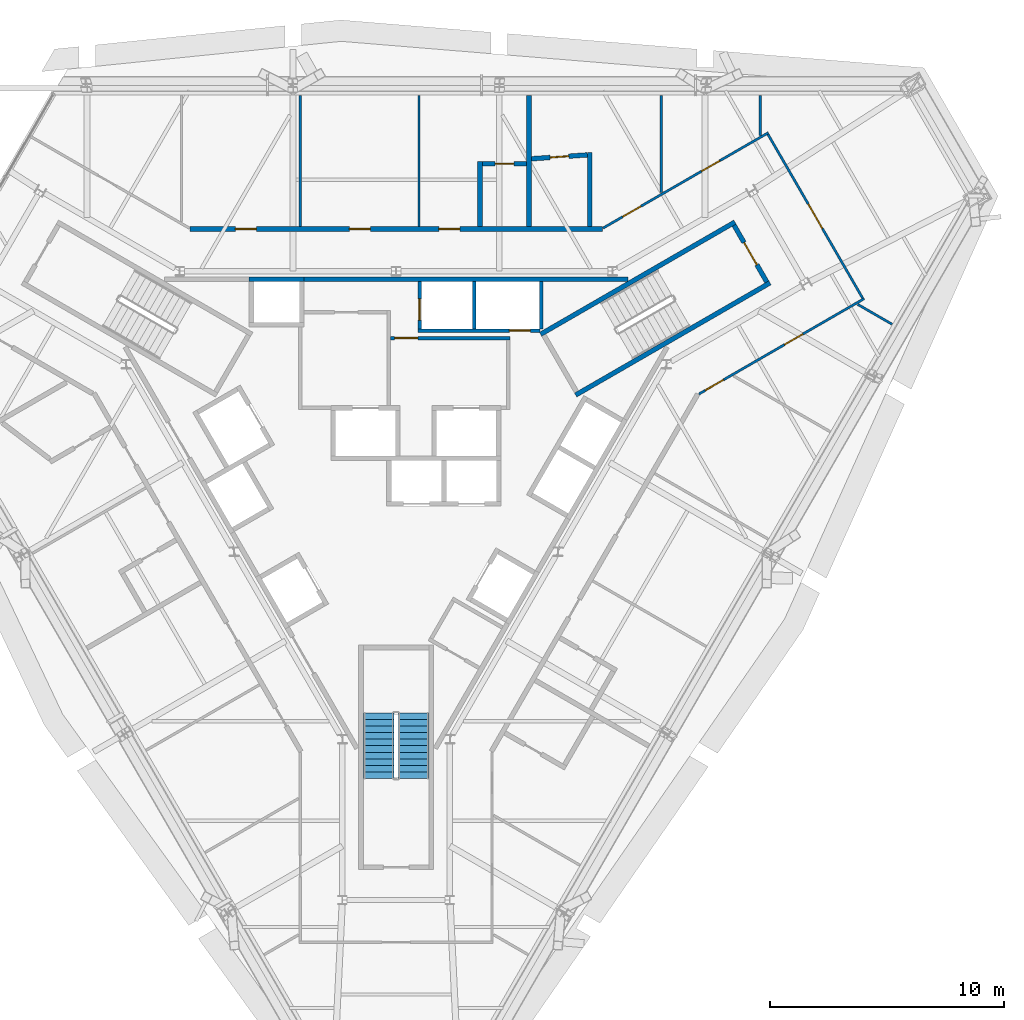
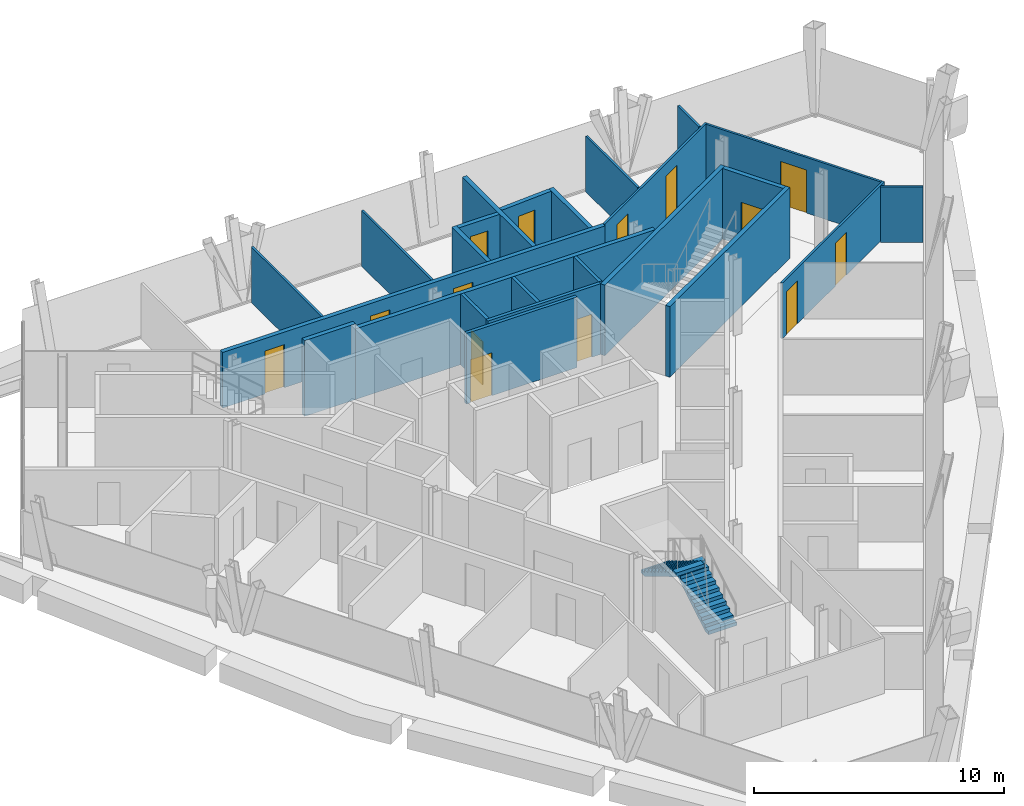
# One storey, part 9 of 11: 24 walls, 14 doors, 2 stair flights, 14 openings, 1 element without a shape of its own.
"""IFC4 building model written with IfcOpenShell, lengths in metres."""

from ifc_helpers import new_model, si_unit, direction, frame, frame_2d, origin, place, context, subcontext, project, spatial, polyline, rectangle, outline, extrude, material, layer, layer_set, type_object, element, fill, aggregate, save


model = new_model("IFC4")

# Units and contexts
model_context = context("Model", 3, precision=1e-05, world=origin(), true_north=direction((0.0, 1.0)))
body_context = subcontext(model_context, "Body", "Model", "MODEL_VIEW")
ifc_project = project(units=[si_unit("LENGTHUNIT", "METRE"), si_unit("AREAUNIT", "SQUARE_METRE"), si_unit("VOLUMEUNIT", "CUBIC_METRE"), si_unit("PLANEANGLEUNIT", "RADIAN"), si_unit("MASSUNIT", "GRAM", prefix="KILO")], contexts=[model_context])

# Site, building, storey
site_placement = place(None, origin())
site = spatial("IfcSite", under=ifc_project, at=site_placement, CompositionType="ELEMENT")
building_placement = place(site_placement, origin())
building = spatial("IfcBuilding", under=site, at=building_placement, Name="Verrane Prism Tower", CompositionType="ELEMENT")
storey_placement = place(building_placement, frame((0.0, 0.0, 232.300048828125)))
storey = spatial("IfcBuildingStorey", under=building, at=storey_placement, Name="L58", CompositionType="ELEMENT", Elevation=232.300048828125)

# Wall
ifc_material_1 = material(Name="Gypsum board partition", Category="other")
ifc_layer_1 = layer(ifc_material_1, 0.199951171875)
ifc_layer_set_1 = layer_set([ifc_layer_1], Name="CW-200 core boundary wall 2 h")
wall_type_1 = type_object("IfcWallType", Name="CW-200 core boundary wall 2 h", PredefinedType="PARTITIONING", material=ifc_layer_set_1)
wall_1_placement = place(storey_placement, frame((-3.93310546875, 7.659912109375, 0.0), z_axis=(0.0, 0.0, 1.0), x_axis=(1.0, 0.0, 0.0)))
element("IfcWall", 1, at=wall_1_placement, inside=storey, type_object=wall_type_1, Name="Core boundary wall CW3-005", PredefinedType="PARTITIONING", context=body_context, shape_type="SweptSolid", body=[
    extrude(rectangle(XDim=13.841064453125, YDim=0.199951171875, at=frame_2d((6.92041015625, 0.0))), origin(), (0.0, 0.0, 1.0), 3.449951171875),
])

# Wall, opening, door
ifc_material_2 = material(Name="Concrete C40/50", Category="concrete")
ifc_layer_2 = layer(ifc_material_2, 0.199951171875)
ifc_layer_set_2 = layer_set([ifc_layer_2], Name="CW-200 stair core wall concrete C40/50 3 h")
wall_type_2 = type_object("IfcWallType", Name="CW-200 stair core wall concrete C40/50 3 h", PredefinedType="PARTITIONING", material=ifc_layer_set_2)
wall_2_placement = place(storey_placement, frame((15.85546875, 7.53759765625, 0.0), z_axis=(0.0, 0.0, 1.0), x_axis=(-0.500049511043, 0.865996816683, 0.0)))
wall_2 = element("IfcWall", 2, at=wall_2_placement, inside=storey, type_object=wall_type_2, Name="Stair 1 enclosure wall", PredefinedType="PARTITIONING", context=body_context, shape_type="SweptSolid", body=[
    extrude(rectangle(XDim=2.800048828125, YDim=0.199951171875, at=frame_2d((1.39990234375, 0.0))), origin(), (0.0, 0.0, 1.0), 3.449951171875),
])
opening_1_placement = place(wall_2_placement, frame((0.849853515625, 0.0, 0.0)))
opening_1 = element("IfcOpeningElement", 3, at=opening_1_placement, cuts=wall_2, Name="Opening D57500", PredefinedType="OPENING", context=body_context, shape_type="SweptSolid", body=[
    extrude(rectangle(XDim=1.10009765625, YDim=2.10009765625, at=frame_2d((0.550048828125, 1.050048828125))), frame((0.0, 0.10986328125, 0.0), z_axis=(0.0, -1.0, 0.0), x_axis=(1.0, 0.0, 0.0)), (0.0, 0.0, 1.0), 0.219970703125),
])
ifc_material_3 = material(Name="Timber veneered door leaf", Category="wood")
door_type_1 = type_object("IfcDoorType", Name="DR-1100x2100 FD90 single leaf stair", OperationType="NOTDEFINED", PredefinedType="DOOR", material=ifc_material_3)
door_1_placement = place(opening_1_placement, origin())
door_1 = element("IfcDoor", 4, at=door_1_placement, inside=storey, type_object=door_type_1, Name="Stair 1 door", OperationType="SINGLE_SWING_LEFT", OverallHeight=2.10009765625, OverallWidth=1.10009765625, PredefinedType="DOOR", context=body_context, shape_type="SweptSolid", body=[
    extrude(rectangle(XDim=1.10009765625, YDim=2.10009765625, at=frame_2d((0.550048828125, 1.050048828125))), frame((0.0, 0.02490234375, 0.0), z_axis=(0.0, -1.0, 0.0), x_axis=(1.0, 0.0, 0.0)), (0.0, 0.0, 1.0), 0.050048828125),
])
fill(opening_1, door_1)

# Walls
for number, where, z_axis, x_axis, name in (
    (5, (6.17822265625, 5.299072265625, 0.0), (0.0, 0.0, 1.0), (0.866019993635, 0.500009370536, 0.0), "Stair 1 enclosure wall"),
    (6, (7.67822265625, 2.700927734375, 0.0), (0.0, 0.0, 1.0), (0.866019993635, 0.500009370536, 0.0), "Stair 1 enclosure wall"),
):
    element("IfcWall", number, at=place(storey_placement, frame(where, z_axis=z_axis, x_axis=x_axis)), inside=storey, type_object=wall_type_2, Name=name, PredefinedType="PARTITIONING", context=body_context, shape_type="SweptSolid", body=[
        extrude(rectangle(XDim=9.599853515625, YDim=0.199951171875, at=frame_2d((4.7998046875, 0.0))), origin(), (0.0, 0.0, 1.0), 3.449951171875),
    ])
ifc_material_4 = material(Name="Gypsum board shaft wall assembly", Category="other")
ifc_layer_3 = layer(ifc_material_4, 0.199951171875)
ifc_layer_set_3 = layer_set([ifc_layer_3], Name="HW-200 lift shaft wall 2 h")
wall_type_3 = type_object("IfcWallType", Name="HW-200 lift shaft wall 2 h", PredefinedType="PARTITIONING", material=ifc_layer_set_3)
wall_3_placement = place(storey_placement, frame((-6.284912109375, 7.659912109375, 0.0), z_axis=(0.0, 0.0, 1.0), x_axis=(1.0, 0.0, 0.0)))
element("IfcWall", 7, at=wall_3_placement, inside=storey, type_object=wall_type_3, Name="Lift shaft wall", PredefinedType="PARTITIONING", context=body_context, shape_type="SweptSolid", body=[
    extrude(rectangle(XDim=2.349853515625, YDim=0.199951171875, at=frame_2d((1.1748046875, 0.0))), origin(), (0.0, 0.0, 1.0), 3.699951171875),
])

# Wall, opening, door
ifc_material_5 = material(Name="Gypsum board partition", Category="other")
ifc_layer_4 = layer(ifc_material_5, 0.14990234375)
ifc_layer_set_4 = layer_set([ifc_layer_4], Name="LF-150 firefighting lobby wall 1 h")
wall_type_4 = type_object("IfcWallType", Name="LF-150 firefighting lobby wall 1 h", PredefinedType="PARTITIONING", material=ifc_layer_set_4)
wall_4_placement = place(storey_placement, frame((-0.2451171875, 5.139892578125, 0.0), z_axis=(0.0, 0.0, 1.0), x_axis=(1.0, 0.0, 0.0)))
wall_4 = element("IfcWall", 8, at=wall_4_placement, inside=storey, type_object=wall_type_4, Name="Firefighting lobby wall LF1-005", PredefinedType="PARTITIONING", context=body_context, shape_type="SweptSolid", body=[
    extrude(rectangle(XDim=5.110107421875, YDim=0.14990234375, at=frame_2d((2.55517578125, 0.0))), origin(), (0.0, 0.0, 1.0), 3.449951171875),
])
opening_2_placement = place(wall_4_placement, frame((0.175048828125, 0.0, 0.0)))
opening_2 = element("IfcOpeningElement", 9, at=opening_2_placement, cuts=wall_4, Name="Opening D57513", PredefinedType="OPENING", context=body_context, shape_type="SweptSolid", body=[
    extrude(rectangle(XDim=1.0, YDim=2.10009765625, at=frame_2d((0.5, 1.050048828125))), frame((0.0, 0.0849609375, 0.0), z_axis=(0.0, -1.0, 0.0), x_axis=(1.0, 0.0, 0.0)), (0.0, 0.0, 1.0), 0.169921875),
])
ifc_material_6 = material(Name="Timber veneered door leaf", Category="wood")
door_type_2 = type_object("IfcDoorType", Name="DR-1000x2100 FD60 single leaf firefighting lobby", OperationType="NOTDEFINED", PredefinedType="DOOR", material=ifc_material_6)
door_2_placement = place(opening_2_placement, origin())
door_2 = element("IfcDoor", 10, at=door_2_placement, inside=storey, type_object=door_type_2, Name="Firefighting lobby door D57513", OperationType="SINGLE_SWING_LEFT", OverallHeight=2.10009765625, OverallWidth=1.0, PredefinedType="DOOR", context=body_context, shape_type="SweptSolid", body=[
    extrude(rectangle(XDim=1.0, YDim=2.10009765625, at=frame_2d((0.5, 1.050048828125))), frame((0.0, 0.02490234375, 0.0), z_axis=(0.0, -1.0, 0.0), x_axis=(1.0, 0.0, 0.0)), (0.0, 0.0, 1.0), 0.050048828125),
])
fill(opening_2, door_2)

# Walls
ifc_material_7 = material(Name="Gypsum board partition", Category="other")
ifc_layer_5 = layer(ifc_material_7, 0.10009765625)
ifc_layer_set_5 = layer_set([ifc_layer_5], Name="PW-100 room partition")
wall_type_5 = type_object("IfcWallType", Name="PW-100 room partition", PredefinedType="PARTITIONING", material=ifc_layer_set_5)
for number, where, z_axis, x_axis, name in (
    (11, (-4.10302734375, 9.89990234375, 0.0), (0.0, 0.0, 1.0), (0.0, 1.0, 0.0), "Room partition 016"),
    (12, (0.97998046875, 9.89990234375, 0.0), (0.0, 0.0, 1.0), (0.0, 1.0, 0.0), "Room partition 019"),
):
    element("IfcWall", number, at=place(storey_placement, frame(where, z_axis=z_axis, x_axis=x_axis)), inside=storey, type_object=wall_type_5, Name=name, PredefinedType="PARTITIONING", context=body_context, shape_type="SweptSolid", body=[
        extrude(rectangle(XDim=5.606201171875, YDim=0.10009765625, at=frame_2d((2.80322265625, 0.0))), origin(), (0.0, 0.0, 1.0), 2.712890625),
    ])

# Wall, openings, doors
wall_5_placement = place(storey_placement, frame((8.8515625, 9.842529296875, 0.0), z_axis=(0.0, 0.0, 1.0), x_axis=(0.866088973199, 0.499889878377, 0.0)))
wall_5 = element("IfcWall", 13, at=wall_5_placement, inside=storey, type_object=wall_type_5, Name="Room partition 035", PredefinedType="PARTITIONING", context=body_context, shape_type="SweptSolid", body=[
    extrude(rectangle(XDim=8.162841796875, YDim=0.10009765625, at=frame_2d((4.08154296875, 0.0))), origin(), (0.0, 0.0, 1.0), 2.712890625),
])
opening_3_placement = place(wall_5_placement, frame((4.864990234375, 0.0, 0.0)))
opening_3 = element("IfcOpeningElement", 14, at=opening_3_placement, cuts=wall_5, Name="Opening D57002", PredefinedType="OPENING", context=body_context, shape_type="SweptSolid", body=[
    extrude(rectangle(XDim=0.89990234375, YDim=2.10009765625, at=frame_2d((0.449951171875, 1.050048828125))), frame((0.0, 0.06005859375, 0.0), z_axis=(0.0, -1.0, 0.0), x_axis=(1.0, 0.0, 0.0)), (0.0, 0.0, 1.0), 0.1201171875),
])
opening_4_placement = place(wall_5_placement, frame((0.965087890625, 0.0, 0.0)))
opening_4 = element("IfcOpeningElement", 15, at=opening_4_placement, cuts=wall_5, Name="Opening D57003", PredefinedType="OPENING", context=body_context, shape_type="SweptSolid", body=[
    extrude(rectangle(XDim=0.89990234375, YDim=2.10009765625, at=frame_2d((0.449951171875, 1.050048828125))), frame((0.0, 0.06005859375, 0.0), z_axis=(0.0, -1.0, 0.0), x_axis=(1.0, 0.0, 0.0)), (0.0, 0.0, 1.0), 0.1201171875),
])
ifc_material_8 = material(Name="Timber veneered door leaf", Category="wood")
door_type_3 = type_object("IfcDoorType", Name="DR-900x2100 single leaf inner", OperationType="NOTDEFINED", PredefinedType="DOOR", material=ifc_material_8)
door_3_placement = place(opening_4_placement, origin())
door_3 = element("IfcDoor", 16, at=door_3_placement, inside=storey, type_object=door_type_3, Name="Master Bedroom door", OperationType="SINGLE_SWING_LEFT", OverallHeight=2.10009765625, OverallWidth=0.89990234375, PredefinedType="DOOR", context=body_context, shape_type="SweptSolid", body=[
    extrude(rectangle(XDim=0.89990234375, YDim=2.10009765625, at=frame_2d((0.449951171875, 1.050048828125))), frame((0.0, 0.02490234375, 0.0), z_axis=(0.0, -1.0, 0.0), x_axis=(1.0, 0.0, 0.0)), (0.0, 0.0, 1.0), 0.050048828125),
])
fill(opening_4, door_3)
ifc_material_9 = material(Name="Timber veneered door leaf", Category="wood")
door_type_4 = type_object("IfcDoorType", Name="DR-900x2100 single leaf unit", OperationType="NOTDEFINED", PredefinedType="DOOR", material=ifc_material_9)
door_4_placement = place(opening_3_placement, origin())
door_4 = element("IfcDoor", 17, at=door_4_placement, inside=storey, type_object=door_type_4, Name="Kitchen door", OperationType="SINGLE_SWING_RIGHT", OverallHeight=2.10009765625, OverallWidth=0.89990234375, PredefinedType="DOOR", context=body_context, shape_type="SweptSolid", body=[
    extrude(rectangle(XDim=0.89990234375, YDim=2.10009765625, at=frame_2d((0.449951171875, 1.050048828125))), frame((0.0, 0.02490234375, 0.0), z_axis=(0.0, -1.0, 0.0), x_axis=(1.0, 0.0, 0.0)), (0.0, 0.0, 1.0), 0.050048828125),
])
fill(opening_3, door_4)

# Wall
wall_6_placement = place(storey_placement, frame((11.3330078125, 11.361572265625, 0.0), z_axis=(0.0, 0.0, 1.0), x_axis=(0.0, 1.0, 0.0)))
element("IfcWall", 18, at=wall_6_placement, inside=storey, type_object=wall_type_5, Name="Room partition 037", PredefinedType="PARTITIONING", context=body_context, shape_type="SweptSolid", body=[
    extrude(rectangle(XDim=4.14453125, YDim=0.10009765625, at=frame_2d((2.072265625, 0.0))), origin(), (0.0, 0.0, 1.0), 2.712890625),
])

# Wall, openings, doors
wall_7_placement = place(storey_placement, frame((20.023193359375, 6.825927734375, 0.0), z_axis=(0.0, 0.0, 1.0), x_axis=(-0.86608949446, -0.499888975259, 0.0)))
wall_7 = element("IfcWall", 19, at=wall_7_placement, inside=storey, type_object=wall_type_5, Name="Room partition 038", PredefinedType="PARTITIONING", context=body_context, shape_type="SweptSolid", body=[
    extrude(rectangle(XDim=8.164794921875, YDim=0.10009765625, at=frame_2d((4.08251953125, 0.0))), origin(), (0.0, 0.0, 1.0), 2.712890625),
])
opening_5_placement = place(wall_7_placement, frame((6.949951171875, 0.0, 0.0)))
opening_5 = element("IfcOpeningElement", 20, at=opening_5_placement, cuts=wall_7, Name="Opening D57025", PredefinedType="OPENING", context=body_context, shape_type="SweptSolid", body=[
    extrude(rectangle(XDim=0.89990234375, YDim=2.10009765625, at=frame_2d((0.449951171875, 1.050048828125))), frame((0.0, 0.06005859375, 0.0), z_axis=(0.0, -1.0, 0.0), x_axis=(1.0, 0.0, 0.0)), (0.0, 0.0, 1.0), 0.1201171875),
])
opening_6_placement = place(wall_7_placement, frame((3.034912109375, 0.0, 0.0)))
opening_6 = element("IfcOpeningElement", 21, at=opening_6_placement, cuts=wall_7, Name="Opening D57026", PredefinedType="OPENING", context=body_context, shape_type="SweptSolid", body=[
    extrude(rectangle(XDim=0.89990234375, YDim=2.10009765625, at=frame_2d((0.449951171875, 1.050048828125))), frame((0.0, 0.06005859375, 0.0), z_axis=(0.0, -1.0, 0.0), x_axis=(1.0, 0.0, 0.0)), (0.0, 0.0, 1.0), 0.1201171875),
])
door_5_placement = place(opening_5_placement, origin())
door_5 = element("IfcDoor", 22, at=door_5_placement, inside=storey, type_object=door_type_4, Name="Study door", OperationType="SINGLE_SWING_RIGHT", OverallHeight=2.10009765625, OverallWidth=0.89990234375, PredefinedType="DOOR", context=body_context, shape_type="SweptSolid", body=[
    extrude(rectangle(XDim=0.89990234375, YDim=2.10009765625, at=frame_2d((0.449951171875, 1.050048828125))), frame((0.0, 0.02490234375, 0.0), z_axis=(0.0, -1.0, 0.0), x_axis=(1.0, 0.0, 0.0)), (0.0, 0.0, 1.0), 0.050048828125),
])
fill(opening_5, door_5)
door_6_placement = place(opening_6_placement, origin())
door_6 = element("IfcDoor", 23, at=door_6_placement, inside=storey, type_object=door_type_4, Name="Study door", OperationType="SINGLE_SWING_LEFT", OverallHeight=2.10009765625, OverallWidth=0.89990234375, PredefinedType="DOOR", context=body_context, shape_type="SweptSolid", body=[
    extrude(rectangle(XDim=0.89990234375, YDim=2.10009765625, at=frame_2d((0.449951171875, 1.050048828125))), frame((0.0, 0.02490234375, 0.0), z_axis=(0.0, -1.0, 0.0), x_axis=(1.0, 0.0, 0.0)), (0.0, 0.0, 1.0), 0.050048828125),
])
fill(opening_6, door_6)

# Wall
wall_8_placement = place(storey_placement, frame((15.569091796875, 13.806640625, 0.0), z_axis=(0.0, 0.0, 1.0), x_axis=(0.0, 1.0, 0.0)))
element("IfcWall", 24, at=wall_8_placement, inside=storey, type_object=wall_type_5, Name="Room partition 040", PredefinedType="PARTITIONING", context=body_context, shape_type="SweptSolid", body=[
    extrude(rectangle(XDim=1.699462890625, YDim=0.10009765625, at=frame_2d((0.849609375, 0.0))), origin(), (0.0, 0.0, 1.0), 2.712890625),
])

# Wall, opening, door
wall_9_placement = place(storey_placement, frame((15.903076171875, 13.854736328125, 0.0), z_axis=(0.0, 0.0, 1.0), x_axis=(0.500415732313, -0.865785247537, 0.0)))
wall_9 = element("IfcWall", 25, at=wall_9_placement, inside=storey, type_object=wall_type_5, Name="Room partition 041", PredefinedType="PARTITIONING", context=body_context, shape_type="SweptSolid", body=[
    extrude(rectangle(XDim=8.09716796875, YDim=0.10009765625, at=frame_2d((4.048583984375, 0.0))), origin(), (0.0, 0.0, 1.0), 2.712890625),
])
opening_7_placement = place(wall_9_placement, frame((3.449951171875, 0.0, 0.0)))
opening_7 = element("IfcOpeningElement", 26, at=opening_7_placement, cuts=wall_9, Name="Opening D57001", PredefinedType="OPENING", context=body_context, shape_type="SweptSolid", body=[
    extrude(rectangle(XDim=1.199951171875, YDim=2.10009765625, at=frame_2d((0.60009765625, 1.050048828125))), frame((0.0, 0.06005859375, 0.0), z_axis=(0.0, -1.0, 0.0), x_axis=(1.0, 0.0, 0.0)), (0.0, 0.0, 1.0), 0.1201171875),
])
ifc_material_10 = material(Name="Timber veneered door leaf", Category="wood")
door_type_5 = type_object("IfcDoorType", Name="DR-1200x2100 single leaf unit", OperationType="NOTDEFINED", PredefinedType="DOOR", material=ifc_material_10)
door_7_placement = place(opening_7_placement, origin())
door_7 = element("IfcDoor", 27, at=door_7_placement, inside=storey, type_object=door_type_5, Name="Living And Dining Room door", OperationType="SINGLE_SWING_LEFT", OverallHeight=2.10009765625, OverallWidth=1.199951171875, PredefinedType="DOOR", context=body_context, shape_type="SweptSolid", body=[
    extrude(rectangle(XDim=1.199951171875, YDim=2.10009765625, at=frame_2d((0.60009765625, 1.050048828125))), frame((0.0, 0.02490234375, 0.0), z_axis=(0.0, -1.0, 0.0), x_axis=(1.0, 0.0, 0.0)), (0.0, 0.0, 1.0), 0.050048828125),
])
fill(opening_7, door_7)

# Wall
wall_10_placement = place(storey_placement, frame((19.742919921875, 6.57861328125, 0.0), z_axis=(0.0, 0.0, 1.0), x_axis=(0.866003515251, -0.500037910135, 0.0)))
element("IfcWall", 28, at=wall_10_placement, inside=storey, type_object=wall_type_5, Name="Room partition 042", PredefinedType="PARTITIONING", context=body_context, shape_type="SweptSolid", body=[
    extrude(rectangle(XDim=1.697021484375, YDim=0.10009765625, at=frame_2d((0.8486328125, 0.0))), origin(), (0.0, 0.0, 1.0), 2.712890625),
])

# Wall, openings, doors
ifc_material_11 = material(Name="Gypsum board partition", Category="other")
ifc_layer_6 = layer(ifc_material_11, 0.199951171875)
ifc_layer_set_6 = layer_set([ifc_layer_6], Name="PW-200 plumbing wall")
wall_type_6 = type_object("IfcWallType", Name="PW-200 plumbing wall", PredefinedType="PARTITIONING", material=ifc_layer_set_6)
wall_11_placement = place(storey_placement, frame((-8.827880859375, 9.800048828125, 0.0), z_axis=(0.0, 0.0, 1.0), x_axis=(1.0, 0.0, 0.0)))
wall_11 = element("IfcWall", 29, at=wall_11_placement, inside=storey, type_object=wall_type_6, Name="Plumbing wall 013", PredefinedType="PARTITIONING", context=body_context, shape_type="SweptSolid", body=[
    extrude(rectangle(XDim=17.65576171875, YDim=0.199951171875, at=frame_2d((8.827880859375, 0.0))), origin(), (0.0, 0.0, 1.0), 2.712890625),
])
opening_8_placement = place(wall_11_placement, frame((10.657958984375, 0.0, 0.0)))
opening_8 = element("IfcOpeningElement", 30, at=opening_8_placement, cuts=wall_11, Name="Opening D57005", PredefinedType="OPENING", context=body_context, shape_type="SweptSolid", body=[
    extrude(rectangle(XDim=0.89990234375, YDim=2.10009765625, at=frame_2d((0.449951171875, 1.050048828125))), frame((0.0, 0.10986328125, 0.0), z_axis=(0.0, -1.0, 0.0), x_axis=(1.0, 0.0, 0.0)), (0.0, 0.0, 1.0), 0.219970703125),
])
opening_9_placement = place(wall_11_placement, frame((6.824951171875, 0.0, 0.0)))
opening_9 = element("IfcOpeningElement", 31, at=opening_9_placement, cuts=wall_11, Name="Opening D57007", PredefinedType="OPENING", context=body_context, shape_type="SweptSolid", body=[
    extrude(rectangle(XDim=0.89990234375, YDim=2.10009765625, at=frame_2d((0.449951171875, 1.050048828125))), frame((0.0, 0.10986328125, 0.0), z_axis=(0.0, -1.0, 0.0), x_axis=(1.0, 0.0, 0.0)), (0.0, 0.0, 1.0), 0.219970703125),
])
opening_10_placement = place(wall_11_placement, frame((1.949951171875, 0.0, 0.0)))
opening_10 = element("IfcOpeningElement", 32, at=opening_10_placement, cuts=wall_11, Name="Opening D57008", PredefinedType="OPENING", context=body_context, shape_type="SweptSolid", body=[
    extrude(rectangle(XDim=0.89990234375, YDim=2.10009765625, at=frame_2d((0.449951171875, 1.050048828125))), frame((0.0, 0.10986328125, 0.0), z_axis=(0.0, -1.0, 0.0), x_axis=(1.0, 0.0, 0.0)), (0.0, 0.0, 1.0), 0.219970703125),
])
door_8_placement = place(opening_8_placement, origin())
door_8 = element("IfcDoor", 33, at=door_8_placement, inside=storey, type_object=door_type_3, Name="Bedroom door", OperationType="SINGLE_SWING_LEFT", OverallHeight=2.10009765625, OverallWidth=0.89990234375, PredefinedType="DOOR", context=body_context, shape_type="SweptSolid", body=[
    extrude(rectangle(XDim=0.89990234375, YDim=2.10009765625, at=frame_2d((0.449951171875, 1.050048828125))), frame((0.0, 0.02490234375, 0.0), z_axis=(0.0, -1.0, 0.0), x_axis=(1.0, 0.0, 0.0)), (0.0, 0.0, 1.0), 0.050048828125),
])
fill(opening_8, door_8)
door_9_placement = place(opening_9_placement, origin())
door_9 = element("IfcDoor", 34, at=door_9_placement, inside=storey, type_object=door_type_4, Name="Study door", OperationType="SINGLE_SWING_LEFT", OverallHeight=2.10009765625, OverallWidth=0.89990234375, PredefinedType="DOOR", context=body_context, shape_type="SweptSolid", body=[
    extrude(rectangle(XDim=0.89990234375, YDim=2.10009765625, at=frame_2d((0.449951171875, 1.050048828125))), frame((0.0, 0.02490234375, 0.0), z_axis=(0.0, -1.0, 0.0), x_axis=(1.0, 0.0, 0.0)), (0.0, 0.0, 1.0), 0.050048828125),
])
fill(opening_9, door_9)
door_10_placement = place(opening_10_placement, origin())
door_10 = element("IfcDoor", 35, at=door_10_placement, inside=storey, type_object=door_type_4, Name="Study door", OperationType="SINGLE_SWING_RIGHT", OverallHeight=2.10009765625, OverallWidth=0.89990234375, PredefinedType="DOOR", context=body_context, shape_type="SweptSolid", body=[
    extrude(rectangle(XDim=0.89990234375, YDim=2.10009765625, at=frame_2d((0.449951171875, 1.050048828125))), frame((0.0, 0.02490234375, 0.0), z_axis=(0.0, -1.0, 0.0), x_axis=(1.0, 0.0, 0.0)), (0.0, 0.0, 1.0), 0.050048828125),
])
fill(opening_10, door_10)

# Wall
wall_12_placement = place(storey_placement, frame((3.5859375, 9.89990234375, 0.0), z_axis=(0.0, 0.0, 1.0), x_axis=(0.0, 1.0, 0.0)))
element("IfcWall", 36, at=wall_12_placement, inside=storey, type_object=wall_type_6, Name="Plumbing wall 020", PredefinedType="PARTITIONING", context=body_context, shape_type="SweptSolid", body=[
    extrude(rectangle(XDim=2.800048828125, YDim=0.199951171875, at=frame_2d((1.39990234375, 0.0))), origin(), (0.0, 0.0, 1.0), 2.712890625),
])

# Wall, opening, door
wall_13_placement = place(storey_placement, frame((5.5859375, 12.60009765625, 0.0), z_axis=(0.0, 0.0, 1.0), x_axis=(-1.0, 0.0, 0.0)))
wall_13 = element("IfcWall", 37, at=wall_13_placement, inside=storey, type_object=wall_type_6, Name="Plumbing wall 021", PredefinedType="PARTITIONING", context=body_context, shape_type="SweptSolid", body=[
    extrude(rectangle(XDim=1.89990234375, YDim=0.199951171875, at=frame_2d((0.949951171875, 0.0))), origin(), (0.0, 0.0, 1.0), 2.712890625),
])
opening_11_placement = place(wall_13_placement, frame((0.550048828125, 0.0, 0.0)))
opening_11 = element("IfcOpeningElement", 38, at=opening_11_placement, cuts=wall_13, Name="Opening D57006", PredefinedType="OPENING", context=body_context, shape_type="SweptSolid", body=[
    extrude(rectangle(XDim=0.800048828125, YDim=2.10009765625, at=frame_2d((0.39990234375, 1.050048828125))), frame((0.0, 0.10986328125, 0.0), z_axis=(0.0, -1.0, 0.0), x_axis=(1.0, 0.0, 0.0)), (0.0, 0.0, 1.0), 0.219970703125),
])
ifc_material_12 = material(Name="Timber veneered door leaf", Category="wood")
door_type_6 = type_object("IfcDoorType", Name="DR-800x2100 single leaf bath", OperationType="NOTDEFINED", PredefinedType="DOOR", material=ifc_material_12)
door_11_placement = place(opening_11_placement, origin())
door_11 = element("IfcDoor", 39, at=door_11_placement, inside=storey, type_object=door_type_6, Name="Bathroom door", OperationType="SINGLE_SWING_LEFT", OverallHeight=2.10009765625, OverallWidth=0.800048828125, PredefinedType="DOOR", context=body_context, shape_type="SweptSolid", body=[
    extrude(rectangle(XDim=0.800048828125, YDim=2.10009765625, at=frame_2d((0.39990234375, 1.050048828125))), frame((0.0, 0.02490234375, 0.0), z_axis=(0.0, -1.0, 0.0), x_axis=(1.0, 0.0, 0.0)), (0.0, 0.0, 1.0), 0.050048828125),
])
fill(opening_11, door_11)

# Wall
wall_14_placement = place(storey_placement, frame((5.68603515625, 9.89990234375, 0.0), z_axis=(0.0, 0.0, 1.0), x_axis=(0.0, 1.0, 0.0)))
element("IfcWall", 40, at=wall_14_placement, inside=storey, type_object=wall_type_6, Name="Plumbing wall 027", PredefinedType="PARTITIONING", context=body_context, shape_type="SweptSolid", body=[
    extrude(rectangle(XDim=5.606201171875, YDim=0.199951171875, at=frame_2d((2.80322265625, 0.0))), origin(), (0.0, 0.0, 1.0), 2.712890625),
])

# Wall, opening, door
wall_15_placement = place(storey_placement, frame((8.17626953125, 12.972412109375, 0.0), z_axis=(0.0, 0.0, 1.0), x_axis=(-0.997610938758, -0.069082666933, 0.0)))
wall_15 = element("IfcWall", 41, at=wall_15_placement, inside=storey, type_object=wall_type_6, Name="Plumbing wall 028", PredefinedType="PARTITIONING", context=body_context, shape_type="SweptSolid", body=[
    extrude(rectangle(XDim=2.388916015625, YDim=0.199951171875, at=frame_2d((1.1943359375, 0.0))), origin(), (0.0, 0.0, 1.0), 2.712890625),
])
opening_12_placement = place(wall_15_placement, frame((0.796142578125, 0.0, 0.0)))
opening_12 = element("IfcOpeningElement", 42, at=opening_12_placement, cuts=wall_15, Name="Opening D57004", PredefinedType="OPENING", context=body_context, shape_type="SweptSolid", body=[
    extrude(rectangle(XDim=0.800048828125, YDim=2.10009765625, at=frame_2d((0.39990234375, 1.050048828125))), frame((0.0, 0.10986328125, 0.0), z_axis=(0.0, -1.0, 0.0), x_axis=(1.0, 0.0, 0.0)), (0.0, 0.0, 1.0), 0.219970703125),
])
door_12_placement = place(opening_12_placement, origin())
door_12 = element("IfcDoor", 43, at=door_12_placement, inside=storey, type_object=door_type_6, Name="Master Bathroom door", OperationType="SINGLE_SWING_LEFT", OverallHeight=2.10009765625, OverallWidth=0.800048828125, PredefinedType="DOOR", context=body_context, shape_type="SweptSolid", body=[
    extrude(rectangle(XDim=0.800048828125, YDim=2.10009765625, at=frame_2d((0.39990234375, 1.050048828125))), frame((0.0, 0.02490234375, 0.0), z_axis=(0.0, -1.0, 0.0), x_axis=(1.0, 0.0, 0.0)), (0.0, 0.0, 1.0), 0.050048828125),
])
fill(opening_12, door_12)

# Wall
wall_16_placement = place(storey_placement, frame((8.285888671875, 9.89990234375, 0.0), z_axis=(0.0, 0.0, 1.0), x_axis=(0.0, 1.0, 0.0)))
element("IfcWall", 44, at=wall_16_placement, inside=storey, type_object=wall_type_6, Name="Plumbing wall 033", PredefinedType="PARTITIONING", context=body_context, shape_type="SweptSolid", body=[
    extrude(rectangle(XDim=3.18017578125, YDim=0.199951171875, at=frame_2d((1.590087890625, 0.0))), origin(), (0.0, 0.0, 1.0), 2.712890625),
])

# Wall, opening, door
ifc_material_13 = material(Name="Gypsum board partition", Category="other")
ifc_layer_7 = layer(ifc_material_13, 0.14990234375)
ifc_layer_set_7 = layer_set([ifc_layer_7], Name="RS-150 riser enclosure wall 1 h")
wall_type_7 = type_object("IfcWallType", Name="RS-150 riser enclosure wall 1 h", PredefinedType="PARTITIONING", material=ifc_layer_set_7)
wall_17_placement = place(storey_placement, frame((1.0, 7.56005859375, 0.0), z_axis=(0.0, 0.0, 1.0), x_axis=(0.0, -1.0, 0.0)))
wall_17 = element("IfcWall", 45, at=wall_17_placement, inside=storey, type_object=wall_type_7, Name="Riser wall RS3-001", PredefinedType="PARTITIONING", context=body_context, shape_type="SweptSolid", body=[
    extrude(rectangle(XDim=2.025146484375, YDim=0.14990234375, at=frame_2d((1.0126953125, 0.0))), origin(), (0.0, 0.0, 1.0), 3.449951171875),
])
opening_13_placement = place(wall_17_placement, frame((0.75, 0.0, 0.0)))
opening_13 = element("IfcOpeningElement", 46, at=opening_13_placement, cuts=wall_17, Name="Opening D57514", PredefinedType="OPENING", context=body_context, shape_type="SweptSolid", body=[
    extrude(rectangle(XDim=0.89990234375, YDim=2.10009765625, at=frame_2d((0.449951171875, 1.050048828125))), frame((0.0, 0.0849609375, 0.0), z_axis=(0.0, -1.0, 0.0), x_axis=(1.0, 0.0, 0.0)), (0.0, 0.0, 1.0), 0.169921875),
])
ifc_material_14 = material(Name="Timber veneered door leaf", Category="wood")
door_type_7 = type_object("IfcDoorType", Name="DR-900x2100 FD60 single leaf riser", OperationType="NOTDEFINED", PredefinedType="DOOR", material=ifc_material_14)
door_13_placement = place(opening_13_placement, origin())
door_13 = element("IfcDoor", 47, at=door_13_placement, inside=storey, type_object=door_type_7, Name="Riser door D57514", OperationType="SINGLE_SWING_RIGHT", OverallHeight=2.10009765625, OverallWidth=0.89990234375, PredefinedType="DOOR", context=body_context, shape_type="SweptSolid", body=[
    extrude(rectangle(XDim=0.89990234375, YDim=2.10009765625, at=frame_2d((0.449951171875, 1.050048828125))), frame((0.0, 0.02490234375, 0.0), z_axis=(0.0, -1.0, 0.0), x_axis=(1.0, 0.0, 0.0)), (0.0, 0.0, 1.0), 0.050048828125),
])
fill(opening_13, door_13)

wall_18_placement = place(storey_placement, frame((0.925048828125, 5.4599609375, 0.0), z_axis=(0.0, 0.0, 1.0), x_axis=(1.0, 0.0, 0.0)))
wall_18 = element("IfcWall", 48, at=wall_18_placement, inside=storey, type_object=wall_type_7, Name="Riser wall RS3-002", PredefinedType="PARTITIONING", context=body_context, shape_type="SweptSolid", body=[
    extrude(rectangle(XDim=5.219970703125, YDim=0.14990234375, at=frame_2d((2.60986328125, 0.0))), origin(), (0.0, 0.0, 1.0), 3.449951171875),
])
opening_14_placement = place(wall_18_placement, frame((3.9150390625, 0.0, 0.0)))
opening_14 = element("IfcOpeningElement", 49, at=opening_14_placement, cuts=wall_18, Name="Opening D57515", PredefinedType="OPENING", context=body_context, shape_type="SweptSolid", body=[
    extrude(rectangle(XDim=0.89990234375, YDim=2.10009765625, at=frame_2d((0.449951171875, 1.050048828125))), frame((0.0, 0.0849609375, 0.0), z_axis=(0.0, -1.0, 0.0), x_axis=(1.0, 0.0, 0.0)), (0.0, 0.0, 1.0), 0.169921875),
])
door_14_placement = place(opening_14_placement, origin())
door_14 = element("IfcDoor", 50, at=door_14_placement, inside=storey, type_object=door_type_7, Name="Riser door D57515", OperationType="SINGLE_SWING_RIGHT", OverallHeight=2.10009765625, OverallWidth=0.89990234375, PredefinedType="DOOR", context=body_context, shape_type="SweptSolid", body=[
    extrude(rectangle(XDim=0.89990234375, YDim=2.10009765625, at=frame_2d((0.449951171875, 1.050048828125))), frame((0.0, 0.02490234375, 0.0), z_axis=(0.0, -1.0, 0.0), x_axis=(1.0, 0.0, 0.0)), (0.0, 0.0, 1.0), 0.050048828125),
])
fill(opening_14, door_14)

# Walls
for number, where, z_axis, x_axis, name in (
    (51, (3.340087890625, 5.534912109375, 0.0), (0.0, 0.0, 1.0), (0.0, 1.0, 0.0), "Riser wall RS3-006"),
    (52, (6.199951171875, 5.534912109375, 0.0), (0.0, 0.0, 1.0), (0.0, 1.0, 0.0), "Riser wall RS3-007"),
):
    element("IfcWall", number, at=place(storey_placement, frame(where, z_axis=z_axis, x_axis=x_axis)), inside=storey, type_object=wall_type_7, Name=name, PredefinedType="PARTITIONING", context=body_context, shape_type="SweptSolid", body=[
        extrude(rectangle(XDim=2.025146484375, YDim=0.14990234375, at=frame_2d((1.0126953125, 0.0))), origin(), (0.0, 0.0, 1.0), 3.449951171875),
    ])

# Stair, stair flights
ifc_material_15 = material(Name="Concrete C40/50", Category="concrete")
stair_type = type_object("IfcStairType", Name="Exit stair 1300 dog-leg precast concrete C40/50", PredefinedType="HALF_TURN_STAIR", material=ifc_material_15)
stair_placement = place(storey_placement, origin())
stair = element("IfcStair", 53, at=stair_placement, inside=storey, type_object=stair_type, Name="Stair 3 L58", PredefinedType="HALF_TURN_STAIR")
ifc_material_16 = material(Name="Concrete C40/50", Category="concrete")
stair_flight_type = type_object("IfcStairFlightType", Name="Stair flight 1300 precast concrete C40/50", PredefinedType="STRAIGHT", material=ifc_material_16)
stair_flight_1_placement = place(storey_placement, frame((0.75, -13.699951171875, 0.0), z_axis=(0.0, 0.0, 1.0), x_axis=(0.0, 1.0, 0.0)))
stair_flight_1 = element("IfcStairFlight", 54, at=stair_flight_1_placement, type_object=stair_flight_type, Name="Stair 3 flight 1", NumberOfRisers=11, NumberOfTreads=10, PredefinedType="STRAIGHT", RiserHeight=0.168181818, TreadLength=0.28, context=body_context, shape_type="SweptSolid", body=[
    extrude(outline(polyline([(0.0, 0.0), (0.0, 0.168212890625), (0.280029296875, 0.168212890625), (0.280029296875, 0.33642578125), (0.56005859375, 0.33642578125), (0.56005859375, 0.504638671875), (0.840087890625, 0.504638671875), (0.840087890625, 0.672607421875), (1.1201171875, 0.672607421875), (1.1201171875, 0.8408203125), (1.39990234375, 0.8408203125), (1.39990234375, 1.009033203125), (1.679931640625, 1.009033203125), (1.679931640625, 1.17724609375), (1.9599609375, 1.17724609375), (1.9599609375, 1.345458984375), (2.239990234375, 1.345458984375), (2.239990234375, 1.513671875), (2.52001953125, 1.513671875), (2.52001953125, 1.681884765625), (2.800048828125, 1.681884765625), (2.800048828125, 1.85009765625), (2.800048828125, 1.5068359375), (0.291015625, 0.0), (0.0, 0.0)])), frame((0.0, 0.64990234375, 0.0), z_axis=(0.0, -1.0, 0.0), x_axis=(1.0, 0.0, 0.0)), (0.0, 0.0, 1.0), 1.300048828125),
])
stair_flight_2_placement = place(storey_placement, frame((-0.75, -10.89990234375, 1.849853515625), z_axis=(0.0, 0.0, 1.0), x_axis=(0.0, -1.0, 0.0)))
stair_flight_2 = element("IfcStairFlight", 55, at=stair_flight_2_placement, type_object=stair_flight_type, Name="Stair 3 flight 2", NumberOfRisers=11, NumberOfTreads=10, PredefinedType="STRAIGHT", RiserHeight=0.168181818, TreadLength=0.28, context=body_context, shape_type="SweptSolid", body=[
    extrude(outline(polyline([(0.0, 0.0), (0.0, 0.168212890625), (0.280029296875, 0.168212890625), (0.280029296875, 0.33642578125), (0.56005859375, 0.33642578125), (0.56005859375, 0.504638671875), (0.840087890625, 0.504638671875), (0.840087890625, 0.672607421875), (1.1201171875, 0.672607421875), (1.1201171875, 0.8408203125), (1.39990234375, 0.8408203125), (1.39990234375, 1.009033203125), (1.679931640625, 1.009033203125), (1.679931640625, 1.17724609375), (1.9599609375, 1.17724609375), (1.9599609375, 1.345458984375), (2.239990234375, 1.345458984375), (2.239990234375, 1.513671875), (2.52001953125, 1.513671875), (2.52001953125, 1.681884765625), (2.800048828125, 1.681884765625), (2.800048828125, 1.85009765625), (2.800048828125, 1.5068359375), (0.291015625, 0.0), (0.0, 0.0)])), frame((0.0, 0.64990234375, 0.0), z_axis=(0.0, -1.0, 0.0), x_axis=(1.0, 0.0, 0.0)), (0.0, 0.0, 1.0), 1.300048828125),
])
aggregate(stair, [stair_flight_1, stair_flight_2])

save(model, "model.ifc")
